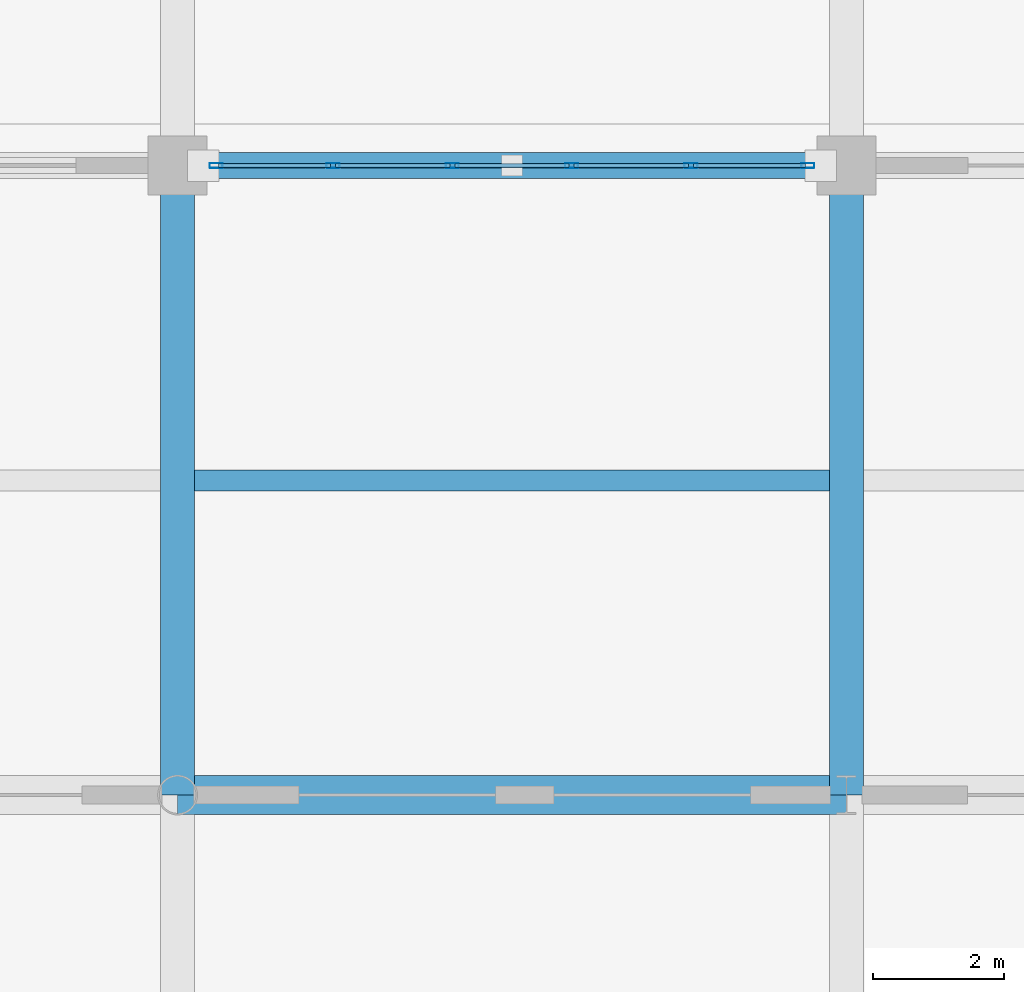
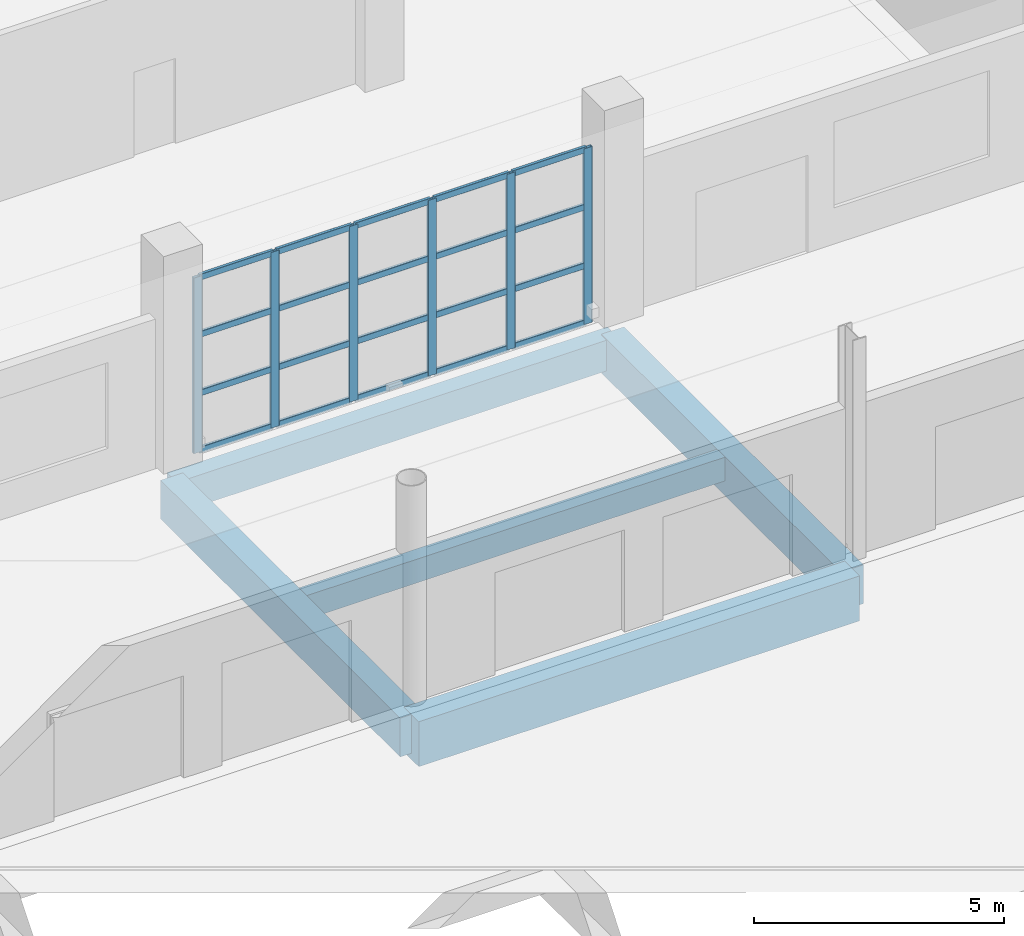
# One storey, part 47 of 124: 26 members, 5 beams, 1 element without a shape of its own.
"""IFC4 building model written with IfcOpenShell, lengths in metres."""

from ifc_helpers import new_model, si_unit, direction, frame, origin, origin_2d, place, context, subcontext, project, spatial, rectangle, hollow_rectangle, extrude, material, material_profile, profile_set, type_object, element, aggregate, save


model = new_model("IFC4")

# Units and contexts
model_context = context("Model", 3, precision=1e-05, world=origin(), true_north=direction((0.0, 1.0)))
body_context = subcontext(model_context, "Body", "Model", "MODEL_VIEW")
ifc_project = project(units=[si_unit("LENGTHUNIT", "METRE"), si_unit("AREAUNIT", "SQUARE_METRE"), si_unit("VOLUMEUNIT", "CUBIC_METRE"), si_unit("PLANEANGLEUNIT", "RADIAN"), si_unit("MASSUNIT", "GRAM", prefix="KILO")], contexts=[model_context])

# Site, building, storey
site_placement = place(None, origin())
site = spatial("IfcSite", under=ifc_project, at=site_placement, CompositionType="ELEMENT")
building_placement = place(site_placement, origin())
building = spatial("IfcBuilding", under=site, at=building_placement, Name="Brelvane Convention Centre", CompositionType="ELEMENT")
storey_placement = place(building_placement, origin())
storey = spatial("IfcBuildingStorey", under=building, at=storey_placement, Name="L00", CompositionType="ELEMENT", Elevation=0.0)

# Curtain wall, members
ifc_material_1 = material(Name="Anodised Aluminium Alloy 6063-T6", Category="aluminium")
curtain_wall_type = type_object("IfcCurtainWallType", Name="Curtain Wall CW-COURT", PredefinedType="USERDEFINED", material=ifc_material_1)
curtain_wall_placement = place(storey_placement, origin())
curtain_wall = element("IfcCurtainWall", 1, at=curtain_wall_placement, inside=storey, type_object=curtain_wall_type, Name="Curtain Wall CW-COURT L00-V4S-09", ObjectType="UNITISED", PredefinedType="USERDEFINED")
ifc_material_2 = material(Name="Anodised Aluminium Alloy 6063-T6", Category="aluminium")
ifc_material_profile_1 = material_profile(ifc_material_2, hollow_rectangle(XDim=0.074951171875, YDim=0.199951171875, WallThickness=0.0048828125, InnerFilletRadius=0.0048828125, OuterFilletRadius=0.010009765625, at=origin_2d()), Name="ALU-M 200x75x5.0")
ifc_profile_set_1 = profile_set([ifc_material_profile_1], Name="Anodised Aluminium Alloy 6063-T6")
member_type_1 = type_object("IfcMemberType", Name="Curtain Mullion CW-M2", PredefinedType="MULLION", material=ifc_profile_set_1)
member_1_placement = place(storey_placement, frame((82.1875, 109.199951171875, 0.0), z_axis=(0.0, 0.0, 1.0), x_axis=(0.0, 1.0, 0.0)))
member_1 = element("IfcMember", 2, at=member_1_placement, type_object=member_type_1, Name="CW-COURT mullion 1", PredefinedType="MULLION", context=body_context, shape_type="SweptSolid", body=[
    extrude(hollow_rectangle(XDim=0.074951171875, YDim=0.199951171875, WallThickness=0.0048828125, InnerFilletRadius=0.0048828125, OuterFilletRadius=0.010009765625, at=origin_2d()), origin(), (0.0, 0.0, 1.0), 4.300048828125),
])
member_2_placement = place(storey_placement, frame((83.969970703125, 109.199951171875, 0.0), z_axis=(0.0, 0.0, 1.0), x_axis=(0.0, 1.0, 0.0)))
member_2 = element("IfcMember", 3, at=member_2_placement, type_object=member_type_1, Name="CW-COURT mullion 2", PredefinedType="MULLION", context=body_context, shape_type="SweptSolid", body=[
    extrude(hollow_rectangle(XDim=0.074951171875, YDim=0.199951171875, WallThickness=0.0048828125, InnerFilletRadius=0.0048828125, OuterFilletRadius=0.010009765625, at=origin_2d()), origin(), (0.0, 0.0, 1.0), 4.300048828125),
])
member_3_placement = place(storey_placement, frame((85.7900390625, 109.199951171875, 0.0), z_axis=(0.0, 0.0, 1.0), x_axis=(0.0, 1.0, 0.0)))
member_3 = element("IfcMember", 4, at=member_3_placement, type_object=member_type_1, Name="CW-COURT mullion 3", PredefinedType="MULLION", context=body_context, shape_type="SweptSolid", body=[
    extrude(hollow_rectangle(XDim=0.074951171875, YDim=0.199951171875, WallThickness=0.0048828125, InnerFilletRadius=0.0048828125, OuterFilletRadius=0.010009765625, at=origin_2d()), origin(), (0.0, 0.0, 1.0), 4.300048828125),
])
member_4_placement = place(storey_placement, frame((87.610107421875, 109.199951171875, 0.0), z_axis=(0.0, 0.0, 1.0), x_axis=(0.0, 1.0, 0.0)))
member_4 = element("IfcMember", 5, at=member_4_placement, type_object=member_type_1, Name="CW-COURT mullion 4", PredefinedType="MULLION", context=body_context, shape_type="SweptSolid", body=[
    extrude(hollow_rectangle(XDim=0.074951171875, YDim=0.199951171875, WallThickness=0.0048828125, InnerFilletRadius=0.0048828125, OuterFilletRadius=0.010009765625, at=origin_2d()), origin(), (0.0, 0.0, 1.0), 4.300048828125),
])
member_5_placement = place(storey_placement, frame((89.429931640625, 109.199951171875, 0.0), z_axis=(0.0, 0.0, 1.0), x_axis=(0.0, 1.0, 0.0)))
member_5 = element("IfcMember", 6, at=member_5_placement, type_object=member_type_1, Name="CW-COURT mullion 5", PredefinedType="MULLION", context=body_context, shape_type="SweptSolid", body=[
    extrude(hollow_rectangle(XDim=0.074951171875, YDim=0.199951171875, WallThickness=0.0048828125, InnerFilletRadius=0.0048828125, OuterFilletRadius=0.010009765625, at=origin_2d()), origin(), (0.0, 0.0, 1.0), 4.300048828125),
])
member_6_placement = place(storey_placement, frame((91.21240234375, 109.199951171875, 0.0), z_axis=(0.0, 0.0, 1.0), x_axis=(0.0, 1.0, 0.0)))
member_6 = element("IfcMember", 7, at=member_6_placement, type_object=member_type_1, Name="CW-COURT mullion 6", PredefinedType="MULLION", context=body_context, shape_type="SweptSolid", body=[
    extrude(hollow_rectangle(XDim=0.074951171875, YDim=0.199951171875, WallThickness=0.0048828125, InnerFilletRadius=0.0048828125, OuterFilletRadius=0.010009765625, at=origin_2d()), origin(), (0.0, 0.0, 1.0), 4.300048828125),
])
ifc_material_3 = material(Name="Anodised Aluminium Alloy 6063-T6", Category="aluminium")
ifc_material_profile_2 = material_profile(ifc_material_3, hollow_rectangle(XDim=0.070068359375, YDim=0.14990234375, WallThickness=0.00439453125, InnerFilletRadius=0.00439453125, OuterFilletRadius=0.009033203125, at=origin_2d()), Name="ALU-T 150x70x4.5")
ifc_profile_set_2 = profile_set([ifc_material_profile_2], Name="Anodised Aluminium Alloy 6063-T6")
member_type_2 = type_object("IfcMemberType", Name="Curtain Transom CW-T2", PredefinedType="USERDEFINED", material=ifc_profile_set_2)
member_7_placement = place(storey_placement, frame((82.22509765625, 109.199951171875, 0.034912109375), z_axis=(1.0, 0.0, 0.0), x_axis=(0.0, 1.0, 0.0)))
member_7 = element("IfcMember", 8, at=member_7_placement, type_object=member_type_2, Name="CW-COURT transom 1.1", ObjectType="TRANSOM", PredefinedType="USERDEFINED", context=body_context, shape_type="SweptSolid", body=[
    extrude(hollow_rectangle(XDim=0.070068359375, YDim=0.14990234375, WallThickness=0.00439453125, InnerFilletRadius=0.00439453125, OuterFilletRadius=0.009033203125, at=origin_2d()), origin(), (0.0, 0.0, 1.0), 1.70751953125),
])
member_8_placement = place(storey_placement, frame((82.22509765625, 109.199951171875, 1.433349609375), z_axis=(1.0, 0.0, 0.0), x_axis=(0.0, 1.0, 0.0)))
member_8 = element("IfcMember", 9, at=member_8_placement, type_object=member_type_2, Name="CW-COURT transom 1.2", ObjectType="TRANSOM", PredefinedType="USERDEFINED", context=body_context, shape_type="SweptSolid", body=[
    extrude(hollow_rectangle(XDim=0.070068359375, YDim=0.14990234375, WallThickness=0.00439453125, InnerFilletRadius=0.00439453125, OuterFilletRadius=0.009033203125, at=origin_2d()), origin(), (0.0, 0.0, 1.0), 1.70751953125),
])
member_9_placement = place(storey_placement, frame((82.22509765625, 109.199951171875, 2.86669921875), z_axis=(1.0, 0.0, 0.0), x_axis=(0.0, 1.0, 0.0)))
member_9 = element("IfcMember", 10, at=member_9_placement, type_object=member_type_2, Name="CW-COURT transom 1.3", ObjectType="TRANSOM", PredefinedType="USERDEFINED", context=body_context, shape_type="SweptSolid", body=[
    extrude(hollow_rectangle(XDim=0.070068359375, YDim=0.14990234375, WallThickness=0.00439453125, InnerFilletRadius=0.00439453125, OuterFilletRadius=0.009033203125, at=origin_2d()), origin(), (0.0, 0.0, 1.0), 1.70751953125),
])
member_10_placement = place(storey_placement, frame((82.22509765625, 109.199951171875, 4.264892578125), z_axis=(1.0, 0.0, 0.0), x_axis=(0.0, 1.0, 0.0)))
member_10 = element("IfcMember", 11, at=member_10_placement, type_object=member_type_2, Name="CW-COURT transom 1.4", ObjectType="TRANSOM", PredefinedType="USERDEFINED", context=body_context, shape_type="SweptSolid", body=[
    extrude(hollow_rectangle(XDim=0.070068359375, YDim=0.14990234375, WallThickness=0.00439453125, InnerFilletRadius=0.00439453125, OuterFilletRadius=0.009033203125, at=origin_2d()), origin(), (0.0, 0.0, 1.0), 1.70751953125),
])
member_11_placement = place(storey_placement, frame((84.007568359375, 109.199951171875, 0.034912109375), z_axis=(1.0, 0.0, 0.0), x_axis=(0.0, 1.0, 0.0)))
member_11 = element("IfcMember", 12, at=member_11_placement, type_object=member_type_2, Name="CW-COURT transom 2.1", ObjectType="TRANSOM", PredefinedType="USERDEFINED", context=body_context, shape_type="SweptSolid", body=[
    extrude(hollow_rectangle(XDim=0.070068359375, YDim=0.14990234375, WallThickness=0.00439453125, InnerFilletRadius=0.00439453125, OuterFilletRadius=0.009033203125, at=origin_2d()), origin(), (0.0, 0.0, 1.0), 1.744873046875),
])
member_12_placement = place(storey_placement, frame((84.007568359375, 109.199951171875, 1.433349609375), z_axis=(1.0, 0.0, 0.0), x_axis=(0.0, 1.0, 0.0)))
member_12 = element("IfcMember", 13, at=member_12_placement, type_object=member_type_2, Name="CW-COURT transom 2.2", ObjectType="TRANSOM", PredefinedType="USERDEFINED", context=body_context, shape_type="SweptSolid", body=[
    extrude(hollow_rectangle(XDim=0.070068359375, YDim=0.14990234375, WallThickness=0.00439453125, InnerFilletRadius=0.00439453125, OuterFilletRadius=0.009033203125, at=origin_2d()), origin(), (0.0, 0.0, 1.0), 1.744873046875),
])
member_13_placement = place(storey_placement, frame((84.007568359375, 109.199951171875, 2.86669921875), z_axis=(1.0, 0.0, 0.0), x_axis=(0.0, 1.0, 0.0)))
member_13 = element("IfcMember", 14, at=member_13_placement, type_object=member_type_2, Name="CW-COURT transom 2.3", ObjectType="TRANSOM", PredefinedType="USERDEFINED", context=body_context, shape_type="SweptSolid", body=[
    extrude(hollow_rectangle(XDim=0.070068359375, YDim=0.14990234375, WallThickness=0.00439453125, InnerFilletRadius=0.00439453125, OuterFilletRadius=0.009033203125, at=origin_2d()), origin(), (0.0, 0.0, 1.0), 1.744873046875),
])
member_14_placement = place(storey_placement, frame((84.007568359375, 109.199951171875, 4.264892578125), z_axis=(1.0, 0.0, 0.0), x_axis=(0.0, 1.0, 0.0)))
member_14 = element("IfcMember", 15, at=member_14_placement, type_object=member_type_2, Name="CW-COURT transom 2.4", ObjectType="TRANSOM", PredefinedType="USERDEFINED", context=body_context, shape_type="SweptSolid", body=[
    extrude(hollow_rectangle(XDim=0.070068359375, YDim=0.14990234375, WallThickness=0.00439453125, InnerFilletRadius=0.00439453125, OuterFilletRadius=0.009033203125, at=origin_2d()), origin(), (0.0, 0.0, 1.0), 1.744873046875),
])
member_15_placement = place(storey_placement, frame((85.827392578125, 109.199951171875, 0.034912109375), z_axis=(1.0, 0.0, 0.0), x_axis=(0.0, 1.0, 0.0)))
member_15 = element("IfcMember", 16, at=member_15_placement, type_object=member_type_2, Name="CW-COURT transom 3.1", ObjectType="TRANSOM", PredefinedType="USERDEFINED", context=body_context, shape_type="SweptSolid", body=[
    extrude(hollow_rectangle(XDim=0.070068359375, YDim=0.14990234375, WallThickness=0.00439453125, InnerFilletRadius=0.00439453125, OuterFilletRadius=0.009033203125, at=origin_2d()), origin(), (0.0, 0.0, 1.0), 1.7451171875),
])
member_16_placement = place(storey_placement, frame((85.827392578125, 109.199951171875, 1.433349609375), z_axis=(1.0, 0.0, 0.0), x_axis=(0.0, 1.0, 0.0)))
member_16 = element("IfcMember", 17, at=member_16_placement, type_object=member_type_2, Name="CW-COURT transom 3.2", ObjectType="TRANSOM", PredefinedType="USERDEFINED", context=body_context, shape_type="SweptSolid", body=[
    extrude(hollow_rectangle(XDim=0.070068359375, YDim=0.14990234375, WallThickness=0.00439453125, InnerFilletRadius=0.00439453125, OuterFilletRadius=0.009033203125, at=origin_2d()), origin(), (0.0, 0.0, 1.0), 1.7451171875),
])
member_17_placement = place(storey_placement, frame((85.827392578125, 109.199951171875, 2.86669921875), z_axis=(1.0, 0.0, 0.0), x_axis=(0.0, 1.0, 0.0)))
member_17 = element("IfcMember", 18, at=member_17_placement, type_object=member_type_2, Name="CW-COURT transom 3.3", ObjectType="TRANSOM", PredefinedType="USERDEFINED", context=body_context, shape_type="SweptSolid", body=[
    extrude(hollow_rectangle(XDim=0.070068359375, YDim=0.14990234375, WallThickness=0.00439453125, InnerFilletRadius=0.00439453125, OuterFilletRadius=0.009033203125, at=origin_2d()), origin(), (0.0, 0.0, 1.0), 1.7451171875),
])
member_18_placement = place(storey_placement, frame((85.827392578125, 109.199951171875, 4.264892578125), z_axis=(1.0, 0.0, 0.0), x_axis=(0.0, 1.0, 0.0)))
member_18 = element("IfcMember", 19, at=member_18_placement, type_object=member_type_2, Name="CW-COURT transom 3.4", ObjectType="TRANSOM", PredefinedType="USERDEFINED", context=body_context, shape_type="SweptSolid", body=[
    extrude(hollow_rectangle(XDim=0.070068359375, YDim=0.14990234375, WallThickness=0.00439453125, InnerFilletRadius=0.00439453125, OuterFilletRadius=0.009033203125, at=origin_2d()), origin(), (0.0, 0.0, 1.0), 1.7451171875),
])
member_19_placement = place(storey_placement, frame((87.6474609375, 109.199951171875, 0.034912109375), z_axis=(1.0, 0.0, 0.0), x_axis=(0.0, 1.0, 0.0)))
member_19 = element("IfcMember", 20, at=member_19_placement, type_object=member_type_2, Name="CW-COURT transom 4.1", ObjectType="TRANSOM", PredefinedType="USERDEFINED", context=body_context, shape_type="SweptSolid", body=[
    extrude(hollow_rectangle(XDim=0.070068359375, YDim=0.14990234375, WallThickness=0.00439453125, InnerFilletRadius=0.00439453125, OuterFilletRadius=0.009033203125, at=origin_2d()), origin(), (0.0, 0.0, 1.0), 1.7451171875),
])
member_20_placement = place(storey_placement, frame((87.6474609375, 109.199951171875, 1.433349609375), z_axis=(1.0, 0.0, 0.0), x_axis=(0.0, 1.0, 0.0)))
member_20 = element("IfcMember", 21, at=member_20_placement, type_object=member_type_2, Name="CW-COURT transom 4.2", ObjectType="TRANSOM", PredefinedType="USERDEFINED", context=body_context, shape_type="SweptSolid", body=[
    extrude(hollow_rectangle(XDim=0.070068359375, YDim=0.14990234375, WallThickness=0.00439453125, InnerFilletRadius=0.00439453125, OuterFilletRadius=0.009033203125, at=origin_2d()), origin(), (0.0, 0.0, 1.0), 1.7451171875),
])
member_21_placement = place(storey_placement, frame((87.6474609375, 109.199951171875, 2.86669921875), z_axis=(1.0, 0.0, 0.0), x_axis=(0.0, 1.0, 0.0)))
member_21 = element("IfcMember", 22, at=member_21_placement, type_object=member_type_2, Name="CW-COURT transom 4.3", ObjectType="TRANSOM", PredefinedType="USERDEFINED", context=body_context, shape_type="SweptSolid", body=[
    extrude(hollow_rectangle(XDim=0.070068359375, YDim=0.14990234375, WallThickness=0.00439453125, InnerFilletRadius=0.00439453125, OuterFilletRadius=0.009033203125, at=origin_2d()), origin(), (0.0, 0.0, 1.0), 1.7451171875),
])
member_22_placement = place(storey_placement, frame((87.6474609375, 109.199951171875, 4.264892578125), z_axis=(1.0, 0.0, 0.0), x_axis=(0.0, 1.0, 0.0)))
member_22 = element("IfcMember", 23, at=member_22_placement, type_object=member_type_2, Name="CW-COURT transom 4.4", ObjectType="TRANSOM", PredefinedType="USERDEFINED", context=body_context, shape_type="SweptSolid", body=[
    extrude(hollow_rectangle(XDim=0.070068359375, YDim=0.14990234375, WallThickness=0.00439453125, InnerFilletRadius=0.00439453125, OuterFilletRadius=0.009033203125, at=origin_2d()), origin(), (0.0, 0.0, 1.0), 1.7451171875),
])
member_23_placement = place(storey_placement, frame((89.467529296875, 109.199951171875, 0.034912109375), z_axis=(1.0, 0.0, 0.0), x_axis=(0.0, 1.0, 0.0)))
member_23 = element("IfcMember", 24, at=member_23_placement, type_object=member_type_2, Name="CW-COURT transom 5.1", ObjectType="TRANSOM", PredefinedType="USERDEFINED", context=body_context, shape_type="SweptSolid", body=[
    extrude(hollow_rectangle(XDim=0.070068359375, YDim=0.14990234375, WallThickness=0.00439453125, InnerFilletRadius=0.00439453125, OuterFilletRadius=0.009033203125, at=origin_2d()), origin(), (0.0, 0.0, 1.0), 1.70751953125),
])
member_24_placement = place(storey_placement, frame((89.467529296875, 109.199951171875, 1.433349609375), z_axis=(1.0, 0.0, 0.0), x_axis=(0.0, 1.0, 0.0)))
member_24 = element("IfcMember", 25, at=member_24_placement, type_object=member_type_2, Name="CW-COURT transom 5.2", ObjectType="TRANSOM", PredefinedType="USERDEFINED", context=body_context, shape_type="SweptSolid", body=[
    extrude(hollow_rectangle(XDim=0.070068359375, YDim=0.14990234375, WallThickness=0.00439453125, InnerFilletRadius=0.00439453125, OuterFilletRadius=0.009033203125, at=origin_2d()), origin(), (0.0, 0.0, 1.0), 1.70751953125),
])
member_25_placement = place(storey_placement, frame((89.467529296875, 109.199951171875, 2.86669921875), z_axis=(1.0, 0.0, 0.0), x_axis=(0.0, 1.0, 0.0)))
member_25 = element("IfcMember", 26, at=member_25_placement, type_object=member_type_2, Name="CW-COURT transom 5.3", ObjectType="TRANSOM", PredefinedType="USERDEFINED", context=body_context, shape_type="SweptSolid", body=[
    extrude(hollow_rectangle(XDim=0.070068359375, YDim=0.14990234375, WallThickness=0.00439453125, InnerFilletRadius=0.00439453125, OuterFilletRadius=0.009033203125, at=origin_2d()), origin(), (0.0, 0.0, 1.0), 1.70751953125),
])
member_26_placement = place(storey_placement, frame((89.467529296875, 109.199951171875, 4.264892578125), z_axis=(1.0, 0.0, 0.0), x_axis=(0.0, 1.0, 0.0)))
member_26 = element("IfcMember", 27, at=member_26_placement, type_object=member_type_2, Name="CW-COURT transom 5.4", ObjectType="TRANSOM", PredefinedType="USERDEFINED", context=body_context, shape_type="SweptSolid", body=[
    extrude(hollow_rectangle(XDim=0.070068359375, YDim=0.14990234375, WallThickness=0.00439453125, InnerFilletRadius=0.00439453125, OuterFilletRadius=0.009033203125, at=origin_2d()), origin(), (0.0, 0.0, 1.0), 1.70751953125),
])
aggregate(curtain_wall, [member_1, member_2, member_3, member_4, member_5, member_6, member_7, member_8, member_9, member_10, member_11, member_12, member_13, member_14, member_15, member_16, member_17, member_18, member_19, member_20, member_21, member_22, member_23, member_24, member_25, member_26])

# Beams
ifc_material_4 = material(Name="Concrete M50", Category="concrete")
ifc_material_profile_3 = material_profile(ifc_material_4, rectangle(XDim=0.60009765625, YDim=1.10009765625, at=origin_2d()), Name="RC 600x1100")
ifc_profile_set_3 = profile_set([ifc_material_profile_3], Name="Concrete M50")
beam_type_1 = type_object("IfcBeamType", Name="RC Beam B-RC2 (RC 600x1100)", PredefinedType="BEAM", material=ifc_profile_set_3)
beam_1_placement = place(storey_placement, frame((81.60009765625, 99.60009765625, -0.949951171875), z_axis=(1.0, 0.0, 0.0), x_axis=(0.0, 1.0, 0.0)))
element("IfcBeam", 28, at=beam_1_placement, inside=storey, type_object=beam_type_1, Name="L00 Beam 9-10/K", PredefinedType="BEAM", context=body_context, shape_type="SweptSolid", body=[
    extrude(rectangle(XDim=0.60009765625, YDim=1.10009765625, at=origin_2d()), origin(), (0.0, 0.0, 1.0), 10.199951171875),
])
ifc_material_5 = material(Name="Concrete M50", Category="concrete")
ifc_material_profile_4 = material_profile(ifc_material_5, rectangle(XDim=0.52001953125, YDim=0.949951171875, at=origin_2d()), Name="RC 520x950")
ifc_profile_set_4 = profile_set([ifc_material_profile_4], Name="Concrete M50")
beam_type_2 = type_object("IfcBeamType", Name="RC Beam B-RC9 (RC 520x950)", PredefinedType="BEAM", material=ifc_profile_set_4)
for number, where, z_axis, x_axis, name in (
    (29, (81.60009765625, 99.60009765625, -0.875), (0.0, 1.0, 0.0), (-1.0, 0.0, 0.0), "L00 Girder 9/K-L"),
    (30, (91.800048828125, 99.60009765625, -0.875), (0.0, 1.0, 0.0), (-1.0, 0.0, 0.0), "L00 Girder 10/K-L"),
):
    element("IfcBeam", number, at=place(storey_placement, frame(where, z_axis=z_axis, x_axis=x_axis)), inside=storey, type_object=beam_type_2, Name=name, PredefinedType="BEAM", context=body_context, shape_type="SweptSolid", body=[
        extrude(rectangle(XDim=0.52001953125, YDim=0.949951171875, at=origin_2d()), origin(), (0.0, 0.0, 1.0), 9.599853515625),
    ])
ifc_material_6 = material(Name="Concrete M40", Category="concrete")
ifc_material_profile_5 = material_profile(ifc_material_6, rectangle(XDim=0.320068359375, YDim=0.580078125, at=origin_2d()), Name="RC 320x580")
ifc_profile_set_5 = profile_set([ifc_material_profile_5], Name="Concrete M40")
beam_type_3 = type_object("IfcBeamType", Name="RC Joist J-RC3 (RC 320x580)", PredefinedType="JOIST", material=ifc_profile_set_5)
beam_2_placement = place(storey_placement, frame((81.860107421875, 104.39990234375, -0.68994140625), z_axis=(1.0, 0.0, 0.0), x_axis=(0.0, 1.0, 0.0)))
element("IfcBeam", 31, at=beam_2_placement, inside=storey, type_object=beam_type_3, Name="L00 Secondary Joist 9-10/KL", PredefinedType="JOIST", context=body_context, shape_type="SweptSolid", body=[
    extrude(rectangle(XDim=0.320068359375, YDim=0.580078125, at=origin_2d()), origin(), (0.0, 0.0, 1.0), 9.679931640625),
])
ifc_material_7 = material(Name="Concrete M40", Category="concrete")
ifc_material_profile_6 = material_profile(ifc_material_7, rectangle(XDim=0.39990234375, YDim=0.75, at=origin_2d()), Name="RC 400x750")
ifc_profile_set_6 = profile_set([ifc_material_profile_6], Name="Concrete M40")
beam_type_4 = type_object("IfcBeamType", Name="RC Spandrel SP-RC1 (RC 400x750)", PredefinedType="SPANDREL", material=ifc_profile_set_6)
beam_3_placement = place(storey_placement, frame((81.60009765625, 109.199951171875, -0.804931640625), z_axis=(1.0, 0.0, 0.0), x_axis=(0.0, 1.0, 0.0)))
element("IfcBeam", 32, at=beam_3_placement, inside=storey, type_object=beam_type_4, Name="L00 Beam 9-10/L", PredefinedType="SPANDREL", context=body_context, shape_type="SweptSolid", body=[
    extrude(rectangle(XDim=0.39990234375, YDim=0.75, at=origin_2d()), origin(), (0.0, 0.0, 1.0), 10.199951171875),
])

save(model, "model.ifc")
